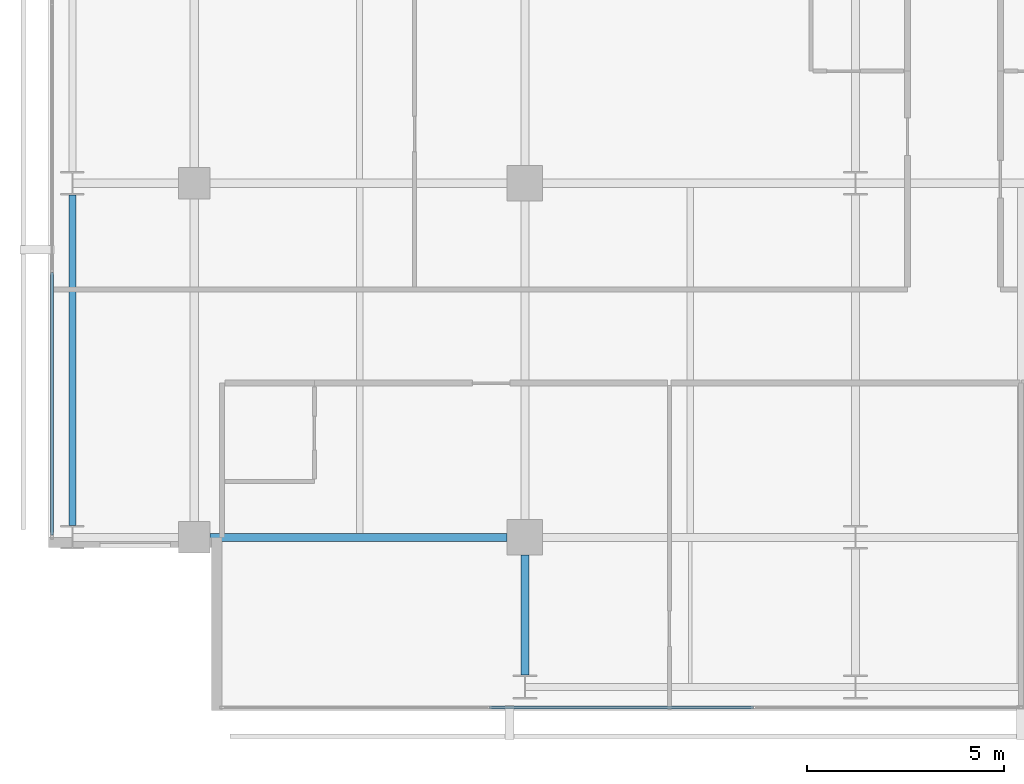
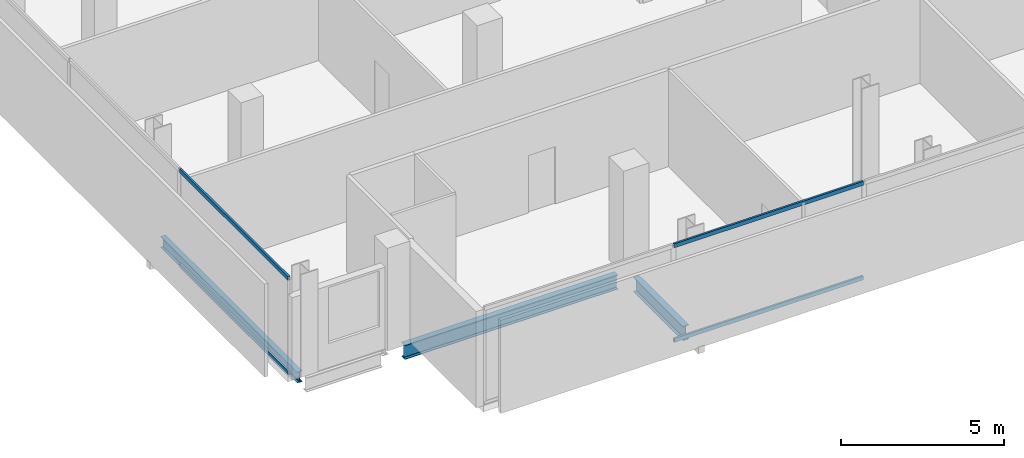
# One storey, part 3 of 32: 4 members, 3 beams, 2 elements without a shape of their own.
"""IFC4 building model written with IfcOpenShell, lengths in metres."""

from ifc_helpers import new_model, si_unit, direction, frame, origin, origin_2d, place, context, subcontext, project, spatial, hollow_rectangle, i_section, extrude, material, layer, layer_set, material_profile, profile_set, type_object, element, aggregate, save


model = new_model("IFC4")

# Units and contexts
model_context = context("Model", 3, precision=1e-05, world=origin(), true_north=direction((0.0, 1.0)))
body_context = subcontext(model_context, "Body", "Model", "MODEL_VIEW")
ifc_project = project(units=[si_unit("LENGTHUNIT", "METRE"), si_unit("AREAUNIT", "SQUARE_METRE"), si_unit("VOLUMEUNIT", "CUBIC_METRE"), si_unit("PLANEANGLEUNIT", "RADIAN"), si_unit("MASSUNIT", "GRAM", prefix="KILO")], contexts=[model_context])

# Site, building, storey
site_placement = place(None, origin())
site = spatial("IfcSite", under=ifc_project, at=site_placement, CompositionType="ELEMENT")
building_placement = place(site_placement, origin())
building = spatial("IfcBuilding", under=site, at=building_placement, Name="Maruvema Waterfront Hotel and Observation Tower", CompositionType="ELEMENT")
storey_placement = place(building_placement, frame((0.0, 0.0, 219.800048828125)))
storey = spatial("IfcBuildingStorey", under=building, at=storey_placement, Name="L54", CompositionType="ELEMENT", Elevation=219.800048828125)

# Curtain wall, members
ifc_material_1 = material(Name="Anodised bronze aluminium and solar-control low-E IGU", Category="aluminium")
ifc_layer = layer(ifc_material_1, 0.159912109375, Name="Zone 2 Amber Inner Thermal Curtain Wall System CW-03")
ifc_layer_set = layer_set([ifc_layer], Name="Anodised bronze aluminium and solar-control low-E IGU")
curtain_wall_type = type_object("IfcCurtainWallType", Name="Zone 2 Amber Inner Thermal Curtain Wall System CW-03", PredefinedType="USERDEFINED", material=ifc_layer_set)
curtain_wall_1_placement = place(storey_placement, origin())
curtain_wall_1 = element("IfcCurtainWall", 1, at=curtain_wall_1_placement, inside=storey, type_object=curtain_wall_type, Name="L54 Curtain Wall CW-L54-S", ObjectType="UNITISED CURTAIN WALL", PredefinedType="USERDEFINED")
ifc_material_2 = material(Name="Anodised architectural bronze aluminium", Category="aluminium")
ifc_material_profile_1 = material_profile(ifc_material_2, hollow_rectangle(XDim=0.070068359375, YDim=0.14990234375, WallThickness=0.00390625, at=origin_2d()), Name="ALU-T70x150")
ifc_profile_set_1 = profile_set([ifc_material_profile_1], Name="Anodised architectural bronze aluminium")
member_type = type_object("IfcMemberType", Name="Curtain Wall Horizontal Transom ALU-T70x150", PredefinedType="USERDEFINED", material=ifc_profile_set_1)
member_1_placement = place(storey_placement, frame((24.296630859375, 4.679931640625, 0.030029296875), z_axis=(1.0, 0.0, 0.0), x_axis=(0.0, 1.0, 0.0)))
member_1 = element("IfcMember", 2, at=member_1_placement, type_object=member_type, Name="CW-03 transom 2.1", ObjectType="TRANSOM", PredefinedType="USERDEFINED", context=body_context, shape_type="SweptSolid", body=[
    extrude(hollow_rectangle(XDim=0.070068359375, YDim=0.14990234375, WallThickness=0.00390625, at=origin_2d()), origin(), (0.0, 0.0, 1.0), 6.706787109375),
])
member_2_placement = place(storey_placement, frame((24.296630859375, 4.679931640625, 3.579833984375), z_axis=(1.0, 0.0, 0.0), x_axis=(0.0, 1.0, 0.0)))
member_2 = element("IfcMember", 3, at=member_2_placement, type_object=member_type, Name="CW-03 transom 2.2", ObjectType="TRANSOM", PredefinedType="USERDEFINED", context=body_context, shape_type="SweptSolid", body=[
    extrude(hollow_rectangle(XDim=0.070068359375, YDim=0.14990234375, WallThickness=0.00390625, at=origin_2d()), origin(), (0.0, 0.0, 1.0), 6.706787109375),
])
aggregate(curtain_wall_1, [member_1, member_2])

curtain_wall_2_placement = place(storey_placement, origin())
curtain_wall_2 = element("IfcCurtainWall", 4, at=curtain_wall_2_placement, inside=storey, type_object=curtain_wall_type, Name="L54 Curtain Wall CW-L54-W", ObjectType="UNITISED CURTAIN WALL", PredefinedType="USERDEFINED")
member_3_placement = place(storey_placement, frame((13.179931640625, 15.736572265625, 0.030029296875), z_axis=(0.0, -1.0, 0.0), x_axis=(1.0, 0.0, 0.0)))
member_3 = element("IfcMember", 5, at=member_3_placement, type_object=member_type, Name="CW-03 transom 6.1", ObjectType="TRANSOM", PredefinedType="USERDEFINED", context=body_context, shape_type="SweptSolid", body=[
    extrude(hollow_rectangle(XDim=0.070068359375, YDim=0.14990234375, WallThickness=0.00390625, at=origin_2d()), origin(), (0.0, 0.0, 1.0), 6.676513671875),
])
member_4_placement = place(storey_placement, frame((13.179931640625, 15.736572265625, 3.579833984375), z_axis=(0.0, -1.0, 0.0), x_axis=(1.0, 0.0, 0.0)))
member_4 = element("IfcMember", 6, at=member_4_placement, type_object=member_type, Name="CW-03 transom 6.2", ObjectType="TRANSOM", PredefinedType="USERDEFINED", context=body_context, shape_type="SweptSolid", body=[
    extrude(hollow_rectangle(XDim=0.070068359375, YDim=0.14990234375, WallThickness=0.00390625, at=origin_2d()), origin(), (0.0, 0.0, 1.0), 6.676513671875),
])
aggregate(curtain_wall_2, [member_3, member_4])

# Beams
ifc_material_3 = material(Name="Steel ASTM A572 Grade 50", Category="steel")
ifc_material_profile_2 = material_profile(ifc_material_3, i_section(OverallWidth=0.178955078125, OverallDepth=0.409912109375, WebThickness=0.0087890625, FlangeThickness=0.014404296875, FilletRadius=0.014892578125, at=origin_2d()), Name="W410x67.0")
ifc_profile_set_2 = profile_set([ifc_material_profile_2], Name="Steel ASTM A572 Grade 50")
beam_type_1 = type_object("IfcBeamType", Name="Perimeter Spandrel Beam W410x67.0", PredefinedType="SPANDREL", material=ifc_profile_set_2)
beam_1_placement = place(storey_placement, frame((13.699951171875, 9.300048828125, -0.445068359375), z_axis=(0.0, 1.0, 0.0), x_axis=(-1.0, 0.0, 0.0)))
element("IfcBeam", 7, at=beam_1_placement, inside=storey, type_object=beam_type_1, Name="L54 Floor Girder NS-01", PredefinedType="SPANDREL", context=body_context, shape_type="SweptSolid", body=[
    extrude(i_section(OverallWidth=0.178955078125, OverallDepth=0.409912109375, WebThickness=0.0087890625, FlangeThickness=0.014404296875, FilletRadius=0.014892578125, at=origin_2d()), origin(), (0.0, 0.0, 1.0), 8.39990234375),
])
ifc_material_4 = material(Name="Steel ASTM A572 Grade 50", Category="steel")
ifc_material_profile_3 = material_profile(ifc_material_4, i_section(OverallWidth=0.2109375, OverallDepth=0.5390625, WebThickness=0.01171875, FlangeThickness=0.018798828125, FilletRadius=0.014892578125, at=origin_2d()), Name="W530x109.0")
ifc_profile_set_3 = profile_set([ifc_material_profile_3], Name="Steel ASTM A572 Grade 50")
beam_type_2 = type_object("IfcBeamType", Name="Primary Floor Girder W530x109.0", PredefinedType="BEAM", material=ifc_profile_set_3)
beam_2_placement = place(storey_placement, frame((17.199951171875, 9.0, -0.509521484375), z_axis=(1.0, 0.0, 0.0), x_axis=(0.0, 1.0, 0.0)))
element("IfcBeam", 8, at=beam_2_placement, inside=storey, type_object=beam_type_2, Name="L54 Floor Girder EW-05", PredefinedType="BEAM", context=body_context, shape_type="SweptSolid", body=[
    extrude(i_section(OverallWidth=0.2109375, OverallDepth=0.5390625, WebThickness=0.01171875, FlangeThickness=0.018798828125, FilletRadius=0.014892578125, at=origin_2d()), origin(), (0.0, 0.0, 1.0), 7.550048828125),
])
beam_3_placement = place(storey_placement, frame((25.199951171875, 5.5, -0.509521484375), z_axis=(0.0, 1.0, 0.0), x_axis=(-1.0, 0.0, 0.0)))
element("IfcBeam", 9, at=beam_3_placement, inside=storey, type_object=beam_type_2, Name="L54 Floor Girder NS-09", PredefinedType="BEAM", context=body_context, shape_type="SweptSolid", body=[
    extrude(i_section(OverallWidth=0.2109375, OverallDepth=0.5390625, WebThickness=0.01171875, FlangeThickness=0.018798828125, FilletRadius=0.014892578125, at=origin_2d()), origin(), (0.0, 0.0, 1.0), 3.050048828125),
])

save(model, "model.ifc")
